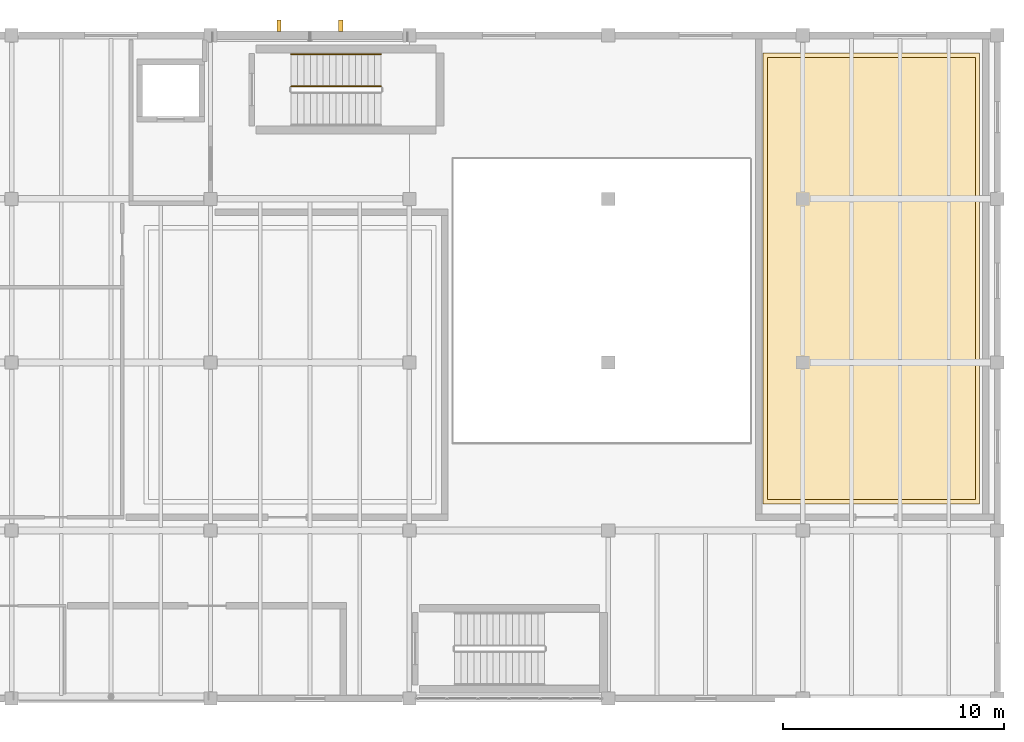
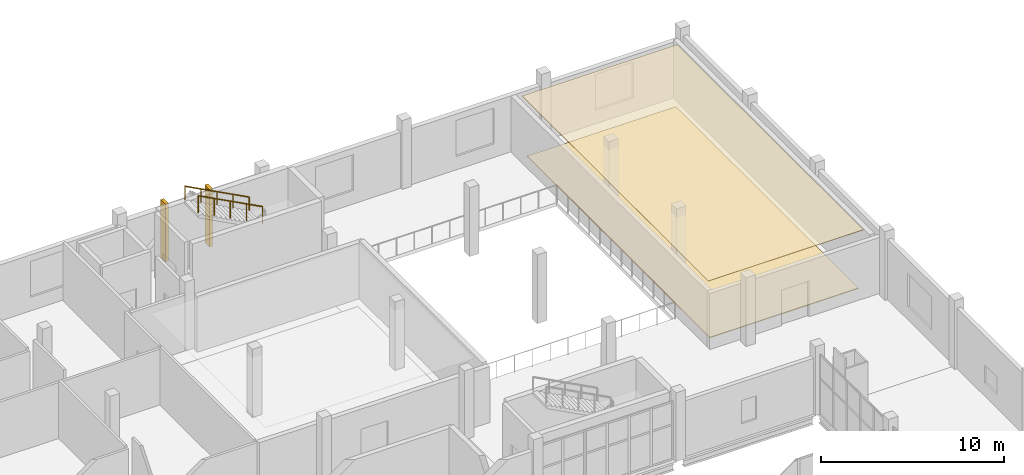
# One storey, part 136 of 136: 2 coverings, 2 railings, 2 shading devices.
"""IFC4 building model written with IfcOpenShell, lengths in metres."""

from ifc_helpers import new_model, si_unit, direction, frame, origin, origin_2d, place, context, subcontext, project, spatial, polyline, rectangle, circle, outline, extrude, material, layer, layer_set, type_object, element, save


model = new_model("IFC4")

# Units and contexts
model_context = context("Model", 3, precision=1e-05, world=origin(), true_north=direction((0.0, 1.0)))
body_context = subcontext(model_context, "Body", "Model", "MODEL_VIEW")
ifc_project = project(units=[si_unit("LENGTHUNIT", "METRE"), si_unit("AREAUNIT", "SQUARE_METRE"), si_unit("VOLUMEUNIT", "CUBIC_METRE"), si_unit("PLANEANGLEUNIT", "RADIAN"), si_unit("MASSUNIT", "GRAM", prefix="KILO")], contexts=[model_context])

# Site, building, storey
site_placement = place(None, origin())
site = spatial("IfcSite", under=ifc_project, at=site_placement, CompositionType="ELEMENT")
building_placement = place(site_placement, origin())
building = spatial("IfcBuilding", under=site, at=building_placement, Name="Shengluoqiao Park Theatre", CompositionType="ELEMENT")
storey_placement = place(building_placement, frame((0.0, 0.0, 10.0)))
storey = spatial("IfcBuildingStorey", under=building, at=storey_placement, Name="L02", CompositionType="ELEMENT", Elevation=10.0)

# Shading devices
ifc_material_1 = material(Name="Concrete C45", Category="concrete")
ifc_layer_1 = layer(ifc_material_1, 0.199951171875, Name="Concrete C45")
ifc_layer_set_1 = layer_set([ifc_layer_1], Name="Concrete C45")
shading_device_type = type_object("IfcShadingDeviceType", Name="ENV-FIN-520x200", PredefinedType="USERDEFINED", material=ifc_layer_set_1)
for number, where, z_axis, x_axis, name in (
    (1, (133.501220703125, 114.43505859375, 0.02001953125), (0.0, 0.0, 1.0), (0.0, 1.0, 0.0), "L02 Vertical Concrete Acoustic Rib 0151"),
    (2, (136.298583984375, 114.43505859375, 0.02001953125), (0.0, 0.0, 1.0), (0.0, 1.0, 0.0), "L02 Vertical Concrete Acoustic Rib 0152"),
):
    element("IfcShadingDevice", number, at=place(storey_placement, frame(where, z_axis=z_axis, x_axis=x_axis)), inside=storey, type_object=shading_device_type, Name=name, ObjectType="FIN", PredefinedType="USERDEFINED", context=body_context, shape_type="SweptSolid", body=[
        extrude(rectangle(XDim=0.52001953125, YDim=0.199951171875, at=origin_2d()), origin(), (0.0, 0.0, 1.0), 3.85791015625),
    ])

# Coverings
ifc_material_2 = material(Name="Perforated timber acoustic", Category="wood")
ifc_layer_2 = layer(ifc_material_2, 0.0400390625, Name="Perforated timber acoustic")
ifc_layer_set_2 = layer_set([ifc_layer_2], Name="Perforated timber acoustic")
covering_type_1 = type_object("IfcCoveringType", Name="INT-COV-CLG2", PredefinedType="CEILING", material=ifc_layer_set_2)
covering_1_placement = place(storey_placement, frame((0.0, 0.0, 3.969970703125)))
element("IfcCovering", 3, at=covering_1_placement, inside=storey, type_object=covering_type_1, Name="Dance Rehearsal Acoustic Ceiling", PredefinedType="CEILING", context=body_context, shape_type="SweptSolid", body=[
    extrude(outline(polyline([(155.39990234375, 92.800048828125), (165.199951171875, 92.800048828125), (165.199951171875, 113.199951171875), (155.39990234375, 113.199951171875), (155.39990234375, 92.800048828125)])), origin(), (0.0, 0.0, 1.0), 0.0400390625),
])
ifc_material_3 = material(Name="Sprung Oregon pine stage timber", Category="wood")
ifc_layer_3 = layer(ifc_material_3, 0.048095703125, Name="Sprung Oregon pine stage timber")
ifc_layer_set_3 = layer_set([ifc_layer_3], Name="Sprung Oregon pine stage timber")
covering_type_2 = type_object("IfcCoveringType", Name="INT-COV-FLR1", PredefinedType="FLOORING", material=ifc_layer_set_3)
covering_2_placement = place(storey_placement, origin())
element("IfcCovering", 4, at=covering_2_placement, inside=storey, type_object=covering_type_2, Name="Dance Rehearsal Sprung Timber Floor", PredefinedType="FLOORING", context=body_context, shape_type="SweptSolid", body=[
    extrude(outline(polyline([(155.60009765625, 93.0), (165.0, 93.0), (165.0, 113.0), (155.60009765625, 113.0), (155.60009765625, 93.0)])), origin(), (0.0, 0.0, 1.0), 0.048095703125),
])

# Railings
ifc_material_4 = material(Name="Painted steel", Category="steel")
railing_type_1 = type_object("IfcRailingType", Name="INT-RL-STGRD", PredefinedType="GUARDRAIL", material=ifc_material_4)
railing_1_placement = place(storey_placement, frame((138.110107421875, 111.68994140625, 2.453369140625)))
element("IfcRailing", 5, at=railing_1_placement, inside=storey, type_object=railing_type_1, Name="L02 ST-06 stair guard 3", PredefinedType="GUARDRAIL", context=body_context, shape_type="SweptSolid", body=[
    extrude(circle(Radius=0.02392578125, at=origin_2d()), frame((0.0, 0.0, 1.1259765625), z_axis=(-0.884032182968, 0.0, 0.46742603637), x_axis=(0.0, -1.0, 0.0)), (0.0, 0.0, 1.0), 4.5927734375),
    extrude(circle(Radius=0.02099609375, at=origin_2d()), origin(), (0.0, 0.0, 1.0), 1.101806640625),
    extrude(circle(Radius=0.02099609375, at=origin_2d()), frame((-1.01513671875, 0.0, 0.53662109375)), (0.0, 0.0, 1.0), 1.101806640625),
    extrude(circle(Radius=0.02099609375, at=origin_2d()), frame((-2.030029296875, 0.0, 1.0732421875)), (0.0, 0.0, 1.0), 1.101806640625),
    extrude(circle(Radius=0.02099609375, at=origin_2d()), frame((-3.044921875, 0.0, 1.610107421875)), (0.0, 0.0, 1.0), 1.101806640625),
    extrude(circle(Radius=0.02099609375, at=origin_2d()), frame((-4.06005859375, 0.0, 2.146728515625)), (0.0, 0.0, 1.0), 1.101806640625),
])
ifc_material_5 = material(Name="Stainless steel 304", Category="steel")
railing_type_2 = type_object("IfcRailingType", Name="INT-RL-STHR", PredefinedType="HANDRAIL", material=ifc_material_5)
railing_2_placement = place(storey_placement, frame((138.110107421875, 113.14990234375, 2.453369140625)))
element("IfcRailing", 6, at=railing_2_placement, inside=storey, type_object=railing_type_2, Name="L02 ST-06 stair handrail 2", PredefinedType="HANDRAIL", context=body_context, shape_type="SweptSolid", body=[
    extrude(circle(Radius=0.02392578125, at=origin_2d()), frame((0.0, 0.0, 0.8759765625), z_axis=(-0.884032182968, 0.0, 0.46742603637), x_axis=(0.0, -1.0, 0.0)), (0.0, 0.0, 1.0), 4.5927734375),
    extrude(circle(Radius=0.02099609375, at=origin_2d()), origin(), (0.0, 0.0, 1.0), 0.851806640625),
    extrude(circle(Radius=0.02099609375, at=origin_2d()), frame((-1.01513671875, 0.0, 0.53662109375)), (0.0, 0.0, 1.0), 0.851806640625),
    extrude(circle(Radius=0.02099609375, at=origin_2d()), frame((-2.030029296875, 0.0, 1.0732421875)), (0.0, 0.0, 1.0), 0.851806640625),
    extrude(circle(Radius=0.02099609375, at=origin_2d()), frame((-3.044921875, 0.0, 1.610107421875)), (0.0, 0.0, 1.0), 0.851806640625),
    extrude(circle(Radius=0.02099609375, at=origin_2d()), frame((-4.06005859375, 0.0, 2.146728515625)), (0.0, 0.0, 1.0), 0.851806640625),
])

save(model, "model.ifc")
